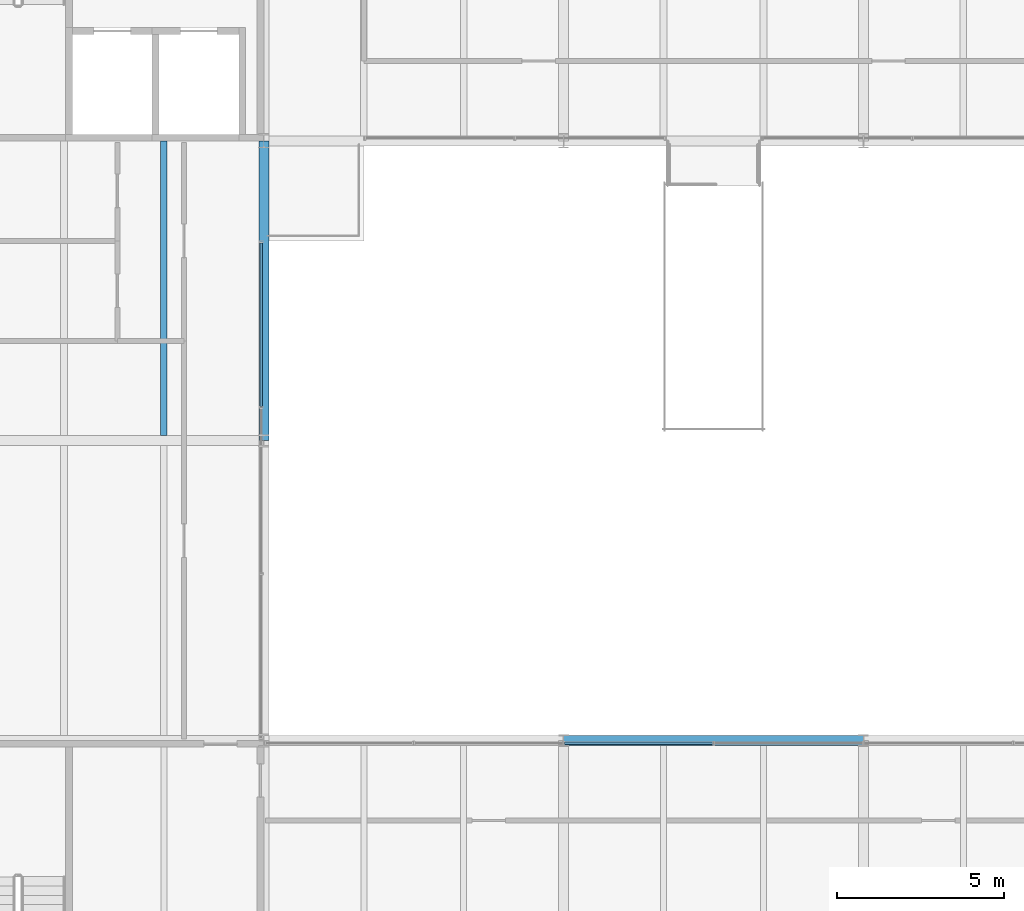
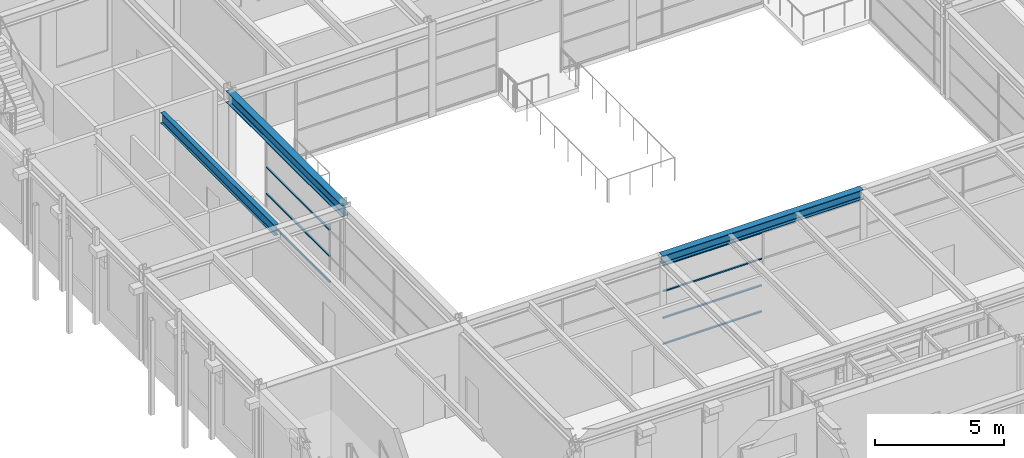
# One storey, part 37 of 153: 8 members, 3 beams, 2 elements without a shape of their own.
"""IFC4 building model written with IfcOpenShell, lengths in metres."""

import ifcopenshell
import ifcopenshell.guid

model = None  # the IFC model being written
_history = None  # IfcOwnerHistory: only IFC2X3 demands one
_inside = {}  # id of a spatial element -> (the spatial element, [elements in it])
_under = {}  # id of a project, library or spatial element -> (it, [spatial elements below it])
_declared = {}  # id of a project -> (the project, [libraries it declares])
_typed = {}  # id of a type object -> (the type object, [elements of that type])
_made_of = {}  # id of a material, layer set ... -> (it, [elements and type objects made of it])


def new_model(schema):
    """Start an empty IFC model of exactly this schema.

    Asked for "IFC4X3", IfcOpenShell would pick the latest addendum, in which some entities
    have other attributes; the version numbers below select the first issue.
    IFC2X3 requires an IfcOwnerHistory on every rooted entity: one is made here for all.
    """
    global model, _history
    if schema == "IFC4X3":
        model = ifcopenshell.file(schema_version=(4, 3, 0, 0))
    else:
        model = ifcopenshell.file(schema=schema)
    _inside.clear()
    _under.clear()
    _declared.clear()
    _typed.clear()
    _made_of.clear()
    _history = None
    if model.schema == "IFC2X3":
        org = make("IfcOrganization", Name="unknown")
        user = make(
            "IfcPersonAndOrganization",
            ThePerson=make("IfcPerson", FamilyName="unknown"),
            TheOrganization=org,
        )
        app = make(
            "IfcApplication",
            ApplicationDeveloper=org,
            Version="unknown",
            ApplicationFullName="unknown",
            ApplicationIdentifier="unknown",
        )
        _history = make(
            "IfcOwnerHistory",
            OwningUser=user,
            OwningApplication=app,
            ChangeAction="ADDED",
            CreationDate=0,
        )
    return model


def make(cls, **values):
    """One entity of the class cls with the attributes given. An attribute that is None is left unset."""
    return model.create_entity(
        cls, **{name: value for name, value in values.items() if value is not None}
    )


def rooted(cls, **values):
    """An entity with a GlobalId (a new one), such as an element, a storey or a relation."""
    return make(cls, GlobalId=ifcopenshell.guid.new(), OwnerHistory=_history, **values)


def si_unit(unit_type, name, prefix=None):
    """IfcSIUnit, for example si_unit("LENGTHUNIT", "METRE", prefix="MILLI")."""
    return make("IfcSIUnit", UnitType=unit_type, Prefix=prefix, Name=name)


def assignment(units):
    """IfcUnitAssignment: the units of a project."""
    return None if units is None else make("IfcUnitAssignment", Units=units)


def point(xyz):
    """IfcCartesianPoint."""
    return None if xyz is None else make("IfcCartesianPoint", Coordinates=xyz)


def direction(xyz):
    """IfcDirection."""
    return None if xyz is None else make("IfcDirection", DirectionRatios=xyz)


def frame(location, z_axis=None, x_axis=None):
    """IfcAxis2Placement3D, a coordinate frame: its origin and axes. An axis left out is left unset."""
    return make(
        "IfcAxis2Placement3D",
        Location=point(location),
        Axis=direction(z_axis),
        RefDirection=direction(x_axis),
    )


def frame_2d(location, x_axis=None):
    """IfcAxis2Placement2D, a coordinate frame in the plane: its origin and x axis."""
    return make(
        "IfcAxis2Placement2D", Location=point(location), RefDirection=direction(x_axis)
    )


def origin():
    """The frame at (0, 0, 0) with its axes left unset."""
    return frame((0.0, 0.0, 0.0))


def origin_2d():
    """The frame at (0, 0) in the plane with its x axis left unset."""
    return frame_2d((0.0, 0.0))


def place(relative_to, where):
    """IfcLocalPlacement: puts the frame where relative to a parent placement (None: the world)."""
    return make(
        "IfcLocalPlacement", PlacementRelTo=relative_to, RelativePlacement=where
    )


def context(
    kind, dimensions, precision=None, world=None, true_north=None, identifier=None
):
    """IfcGeometricRepresentationContext, for example the 3D "Model" context."""
    return make(
        "IfcGeometricRepresentationContext",
        ContextIdentifier=identifier,
        ContextType=kind,
        CoordinateSpaceDimension=dimensions,
        Precision=precision,
        WorldCoordinateSystem=world,
        TrueNorth=true_north,
    )


def subcontext(parent, identifier, kind, view, scale=None):
    """IfcGeometricRepresentationSubContext, for example "Body" below "Model"."""
    return make(
        "IfcGeometricRepresentationSubContext",
        ContextIdentifier=identifier,
        ContextType=kind,
        ParentContext=parent,
        TargetScale=scale,
        TargetView=view,
    )


def project(units=None, contexts=None):
    """IfcProject with its units and contexts."""
    return rooted(
        "IfcProject",
        Name="project",
        RepresentationContexts=contexts,
        UnitsInContext=assignment(units),
    )


def spatial(cls, under=None, at=None, **own):
    """A site, building, storey or space (cls), placed at a placement, below another one or the project."""
    s = rooted(cls, ObjectPlacement=at, **own)
    if under is not None:
        _under.setdefault(under.id(), (under, []))[1].append(s)
    return s


def profile(cls, at=None, kind="AREA", **sizes):
    """A parametric profile (cls). Its sizes go by their IFC names, for example OverallWidth=200.0."""
    return make(cls, ProfileType=kind, Position=at, **sizes)


def hollow_rectangle(**sizes):
    """IfcRectangleHollowProfileDef."""
    return profile("IfcRectangleHollowProfileDef", **sizes)


def i_section(**sizes):
    """IfcIShapeProfileDef."""
    return profile("IfcIShapeProfileDef", **sizes)


def extrude(swept, where, along, depth):
    """IfcExtrudedAreaSolid: the profile swept, set in the frame where, extruded along a direction by depth."""
    return make(
        "IfcExtrudedAreaSolid",
        SweptArea=swept,
        Position=where,
        ExtrudedDirection=direction(along),
        Depth=depth,
    )


def shape(context_of_items, identifier, shape_type, items):
    """IfcShapeRepresentation: the items that make up one representation, for example the "Body"."""
    return make(
        "IfcShapeRepresentation",
        ContextOfItems=context_of_items,
        RepresentationIdentifier=identifier,
        RepresentationType=shape_type,
        Items=items,
    )


def material(Name=None, Category=None):
    """IfcMaterial."""
    return make("IfcMaterial", Name=Name, Category=Category)


def material_profile(
    of_material, cross_section, Name=None, Category=None, Priority=None
):
    """IfcMaterialProfile: a cross section and its material."""
    return make(
        "IfcMaterialProfile",
        Name=Name,
        Material=of_material,
        Profile=cross_section,
        Priority=Priority,
        Category=Category,
    )


def profile_set(profiles, Name=None, composite=None):
    """IfcMaterialProfileSet."""
    return make(
        "IfcMaterialProfileSet",
        Name=Name,
        MaterialProfiles=profiles,
        CompositeProfile=composite,
    )


def made_of(thing, what):
    """Note that an element or type object is made of a material, layer set ...; save() writes the relation."""
    if what is not None:
        _made_of.setdefault(what.id(), (what, []))[1].append(thing)
    return thing


def type_object(cls, material=None, **own):
    """A type object (cls), such as IfcWallType, which elements share."""
    return made_of(rooted(cls, **own), material)


def element(
    cls,
    number,
    at=None,
    inside=None,
    cuts=None,
    type_object=None,
    material=None,
    context=None,
    identifier="Body",
    shape_type=None,
    held_by="IfcProductDefinitionShape",
    body=None,
    shapes=None,
    **own,
):
    """One element of the class cls, such as IfcWall. Its Tag is "e" and its number.

    at: its placement. inside: the storey or other place that contains it. cuts: it is an
    opening in that element (IfcRelVoidsElement). A single representation is given by context,
    identifier, shape_type and body (its items); several are given by shapes. held_by: the class
    of the entity that holds the representations. save() writes the other relations.
    """
    e = rooted(cls, Tag="e%d" % number, ObjectPlacement=at, **own)
    if body is not None:
        shapes = [shape(context, identifier, shape_type, body)]
    if shapes is not None:
        e.Representation = make(held_by, Representations=shapes)
    if inside is not None:
        _inside.setdefault(inside.id(), (inside, []))[1].append(e)
    if cuts is not None:
        rooted(
            "IfcRelVoidsElement", RelatingBuildingElement=cuts, RelatedOpeningElement=e
        )
    if type_object is not None:
        _typed.setdefault(type_object.id(), (type_object, []))[1].append(e)
    return made_of(e, material)


def aggregate(whole, parts):
    """IfcRelAggregates: a whole, such as a stair, and the parts it consists of."""
    return rooted("IfcRelAggregates", RelatingObject=whole, RelatedObjects=parts)


def save(model, path):
    """Write the relations noted so far, then the file.

    IfcRelAggregates (storeys below a building ...), IfcRelContainedInSpatialStructure (elements
    in a storey), IfcRelDefinesByType, IfcRelAssociatesMaterial and IfcRelDeclares: one each for
    every whole, place, type object, material and project.
    """
    for whole, parts in _under.values():
        aggregate(whole, parts)
    for where, things in _inside.values():
        rooted(
            "IfcRelContainedInSpatialStructure",
            RelatedElements=things,
            RelatingStructure=where,
        )
    for kind, things in _typed.values():
        rooted("IfcRelDefinesByType", RelatedObjects=things, RelatingType=kind)
    for what, things in _made_of.values():
        rooted("IfcRelAssociatesMaterial", RelatedObjects=things, RelatingMaterial=what)
    for by, libraries in _declared.values():
        rooted("IfcRelDeclares", RelatingContext=by, RelatedDefinitions=libraries)
    model.write(path)


model = new_model("IFC4")

# Units and contexts
model_context = context("Model", 3, precision=1e-05, world=origin(), true_north=direction((0.0, 1.0)))
body_context = subcontext(model_context, "Body", "Model", "MODEL_VIEW")
ifc_project = project(units=[si_unit("LENGTHUNIT", "METRE"), si_unit("AREAUNIT", "SQUARE_METRE"), si_unit("VOLUMEUNIT", "CUBIC_METRE"), si_unit("PLANEANGLEUNIT", "RADIAN"), si_unit("MASSUNIT", "GRAM", prefix="KILO")], contexts=[model_context])

# Site, building, storey
site_placement = place(None, origin())
site = spatial("IfcSite", under=ifc_project, at=site_placement, CompositionType="ELEMENT")
building_placement = place(site_placement, origin())
building = spatial("IfcBuilding", under=site, at=building_placement, Name="Kallimachos Central Library", CompositionType="ELEMENT")
storey_placement = place(building_placement, frame((0.0, 0.0, 5.39990234375)))
storey = spatial("IfcBuildingStorey", under=building, at=storey_placement, Name="L01", CompositionType="ELEMENT", Elevation=5.39990234375)

# Curtain wall, members
ifc_material_1 = material(Name="Aluminium and laminated glass", Category="aluminium")
curtain_wall_type = type_object("IfcCurtainWallType", Name="Atrium glazed screen", PredefinedType="NOTDEFINED", material=ifc_material_1)
curtain_wall_1_placement = place(storey_placement, origin())
curtain_wall_1 = element("IfcCurtainWall", 1, at=curtain_wall_1_placement, inside=storey, type_object=curtain_wall_type, Name="L01 atrium screen S", PredefinedType="NOTDEFINED")
ifc_material_2 = material(Name="Anodised aluminium", Category="aluminium")
ifc_material_profile_1 = material_profile(ifc_material_2, hollow_rectangle(XDim=0.06005859375, YDim=0.080078125, WallThickness=0.00390625, at=origin_2d()), Name="ALU TRANSOM 60x80")
ifc_profile_set_1 = profile_set([ifc_material_profile_1], Name="Anodised aluminium")
member_type = type_object("IfcMemberType", Name="Atrium screen transom", PredefinedType="USERDEFINED", material=ifc_profile_set_1)
member_1_placement = place(storey_placement, frame((83.530029296875, 56.919921875, 0.030029296875), z_axis=(1.0, 0.0, 0.0), x_axis=(0.0, 0.0, 1.0)))
member_1 = element("IfcMember", 2, at=member_1_placement, type_object=member_type, Name="CW transom 3.1", ObjectType="TRANSOM", PredefinedType="USERDEFINED", context=body_context, shape_type="SweptSolid", body=[
    extrude(hollow_rectangle(XDim=0.06005859375, YDim=0.080078125, WallThickness=0.00390625, at=origin_2d()), origin(), (0.0, 0.0, 1.0), 4.43994140625),
])
member_2_placement = place(storey_placement, frame((83.530029296875, 56.919921875, 1.266845703125), z_axis=(1.0, 0.0, 0.0), x_axis=(0.0, 0.0, 1.0)))
member_2 = element("IfcMember", 3, at=member_2_placement, type_object=member_type, Name="CW transom 3.2", ObjectType="TRANSOM", PredefinedType="USERDEFINED", context=body_context, shape_type="SweptSolid", body=[
    extrude(hollow_rectangle(XDim=0.06005859375, YDim=0.080078125, WallThickness=0.00390625, at=origin_2d()), origin(), (0.0, 0.0, 1.0), 4.43994140625),
])
member_3_placement = place(storey_placement, frame((83.530029296875, 56.919921875, 2.533447265625), z_axis=(1.0, 0.0, 0.0), x_axis=(0.0, 0.0, 1.0)))
member_3 = element("IfcMember", 4, at=member_3_placement, type_object=member_type, Name="CW transom 3.3", ObjectType="TRANSOM", PredefinedType="USERDEFINED", context=body_context, shape_type="SweptSolid", body=[
    extrude(hollow_rectangle(XDim=0.06005859375, YDim=0.080078125, WallThickness=0.00390625, at=origin_2d()), origin(), (0.0, 0.0, 1.0), 4.43994140625),
])
member_4_placement = place(storey_placement, frame((83.530029296875, 56.919921875, 3.77001953125), z_axis=(1.0, 0.0, 0.0), x_axis=(0.0, 0.0, 1.0)))
member_4 = element("IfcMember", 5, at=member_4_placement, type_object=member_type, Name="CW transom 3.4", ObjectType="TRANSOM", PredefinedType="USERDEFINED", context=body_context, shape_type="SweptSolid", body=[
    extrude(hollow_rectangle(XDim=0.06005859375, YDim=0.080078125, WallThickness=0.00390625, at=origin_2d()), origin(), (0.0, 0.0, 1.0), 4.43994140625),
])
aggregate(curtain_wall_1, [member_1, member_2, member_3, member_4])

curtain_wall_2_placement = place(storey_placement, origin())
curtain_wall_2 = element("IfcCurtainWall", 6, at=curtain_wall_2_placement, inside=storey, type_object=curtain_wall_type, Name="L01 atrium screen W", PredefinedType="NOTDEFINED")
member_5_placement = place(storey_placement, frame((74.419921875, 67.030029296875, 0.030029296875), z_axis=(0.0, 1.0, 0.0), x_axis=(0.0, 0.0, 1.0)))
member_5 = element("IfcMember", 7, at=member_5_placement, type_object=member_type, Name="CW transom 3.1", ObjectType="TRANSOM", PredefinedType="USERDEFINED", context=body_context, shape_type="SweptSolid", body=[
    extrude(hollow_rectangle(XDim=0.06005859375, YDim=0.080078125, WallThickness=0.00390625, at=origin_2d()), origin(), (0.0, 0.0, 1.0), 4.909912109375),
])
member_6_placement = place(storey_placement, frame((74.419921875, 67.030029296875, 1.25), z_axis=(0.0, 1.0, 0.0), x_axis=(0.0, 0.0, 1.0)))
member_6 = element("IfcMember", 8, at=member_6_placement, type_object=member_type, Name="CW transom 3.2", ObjectType="TRANSOM", PredefinedType="USERDEFINED", context=body_context, shape_type="SweptSolid", body=[
    extrude(hollow_rectangle(XDim=0.06005859375, YDim=0.080078125, WallThickness=0.00390625, at=origin_2d()), origin(), (0.0, 0.0, 1.0), 4.909912109375),
])
member_7_placement = place(storey_placement, frame((74.419921875, 67.030029296875, 2.5), z_axis=(0.0, 1.0, 0.0), x_axis=(0.0, 0.0, 1.0)))
member_7 = element("IfcMember", 9, at=member_7_placement, type_object=member_type, Name="CW transom 3.3", ObjectType="TRANSOM", PredefinedType="USERDEFINED", context=body_context, shape_type="SweptSolid", body=[
    extrude(hollow_rectangle(XDim=0.06005859375, YDim=0.080078125, WallThickness=0.00390625, at=origin_2d()), origin(), (0.0, 0.0, 1.0), 4.909912109375),
])
member_8_placement = place(storey_placement, frame((74.419921875, 67.030029296875, 3.72021484375), z_axis=(0.0, 1.0, 0.0), x_axis=(0.0, 0.0, 1.0)))
member_8 = element("IfcMember", 10, at=member_8_placement, type_object=member_type, Name="CW transom 3.4", ObjectType="TRANSOM", PredefinedType="USERDEFINED", context=body_context, shape_type="SweptSolid", body=[
    extrude(hollow_rectangle(XDim=0.06005859375, YDim=0.080078125, WallThickness=0.00390625, at=origin_2d()), origin(), (0.0, 0.0, 1.0), 4.909912109375),
])
aggregate(curtain_wall_2, [member_5, member_6, member_7, member_8])

# Beams
ifc_material_3 = material(Name="Steel S355J2", Category="steel")
ifc_material_profile_2 = material_profile(ifc_material_3, i_section(OverallWidth=0.300048828125, OverallDepth=0.449951171875, WebThickness=0.013916015625, FlangeThickness=0.02587890625, FilletRadius=0.027099609375, at=origin_2d()), Name="HEB 450")
ifc_profile_set_2 = profile_set([ifc_material_profile_2], Name="Steel S355J2")
beam_type_1 = type_object("IfcBeamType", Name="HEB 450 beam", PredefinedType="BEAM", material=ifc_profile_set_2)
beam_1_placement = place(storey_placement, frame((83.5, 57.0, 4.025146484375), z_axis=(1.0, 0.0, 0.0), x_axis=(0.0, 1.0, 0.0)))
element("IfcBeam", 11, at=beam_1_placement, inside=storey, type_object=beam_type_1, Name="V4-BEM-L01-047", PredefinedType="BEAM", context=body_context, shape_type="SweptSolid", body=[
    extrude(i_section(OverallWidth=0.300048828125, OverallDepth=0.449951171875, WebThickness=0.013916015625, FlangeThickness=0.02587890625, FilletRadius=0.027099609375, at=origin_2d()), origin(), (0.0, 0.0, 1.0), 9.0),
])
ifc_material_4 = material(Name="Steel S355J2", Category="steel")
ifc_material_profile_3 = material_profile(ifc_material_4, i_section(OverallWidth=0.300048828125, OverallDepth=0.550048828125, WebThickness=0.014892578125, FlangeThickness=0.029052734375, FilletRadius=0.027099609375, at=origin_2d()), Name="HEB 550")
ifc_profile_set_3 = profile_set([ifc_material_profile_3], Name="Steel S355J2")
beam_type_2 = type_object("IfcBeamType", Name="HEB 550 beam", PredefinedType="BEAM", material=ifc_profile_set_3)
beam_2_placement = place(storey_placement, frame((74.5, 66.0, 4.025146484375), z_axis=(0.0, 1.0, 0.0), x_axis=(-1.0, 0.0, 0.0)))
element("IfcBeam", 12, at=beam_2_placement, inside=storey, type_object=beam_type_2, Name="V4-BEM-L01-026", PredefinedType="BEAM", context=body_context, shape_type="SweptSolid", body=[
    extrude(i_section(OverallWidth=0.300048828125, OverallDepth=0.550048828125, WebThickness=0.014892578125, FlangeThickness=0.029052734375, FilletRadius=0.027099609375, at=origin_2d()), origin(), (0.0, 0.0, 1.0), 9.0),
])
ifc_material_5 = material(Name="Steel S355J2", Category="steel")
ifc_material_profile_4 = material_profile(ifc_material_5, i_section(OverallWidth=0.199951171875, OverallDepth=0.5, WebThickness=0.01025390625, FlangeThickness=0.01611328125, FilletRadius=0.02099609375, at=origin_2d()), Name="IPE 500")
ifc_profile_set_4 = profile_set([ifc_material_profile_4], Name="Steel S355J2")
beam_type_3 = type_object("IfcBeamType", Name="IPE 500 beam", PredefinedType="BEAM", material=ifc_profile_set_4)
beam_3_placement = place(storey_placement, frame((71.5, 66.14990234375, 4.050048828125), z_axis=(0.0, 1.0, 0.0), x_axis=(-1.0, 0.0, 0.0)))
element("IfcBeam", 13, at=beam_3_placement, inside=storey, type_object=beam_type_3, Name="V4-BEM-L01-030", PredefinedType="BEAM", context=body_context, shape_type="SweptSolid", body=[
    extrude(i_section(OverallWidth=0.199951171875, OverallDepth=0.5, WebThickness=0.01025390625, FlangeThickness=0.01611328125, FilletRadius=0.02099609375, at=origin_2d()), origin(), (0.0, 0.0, 1.0), 8.85009765625),
])

save(model, "model.ifc")
